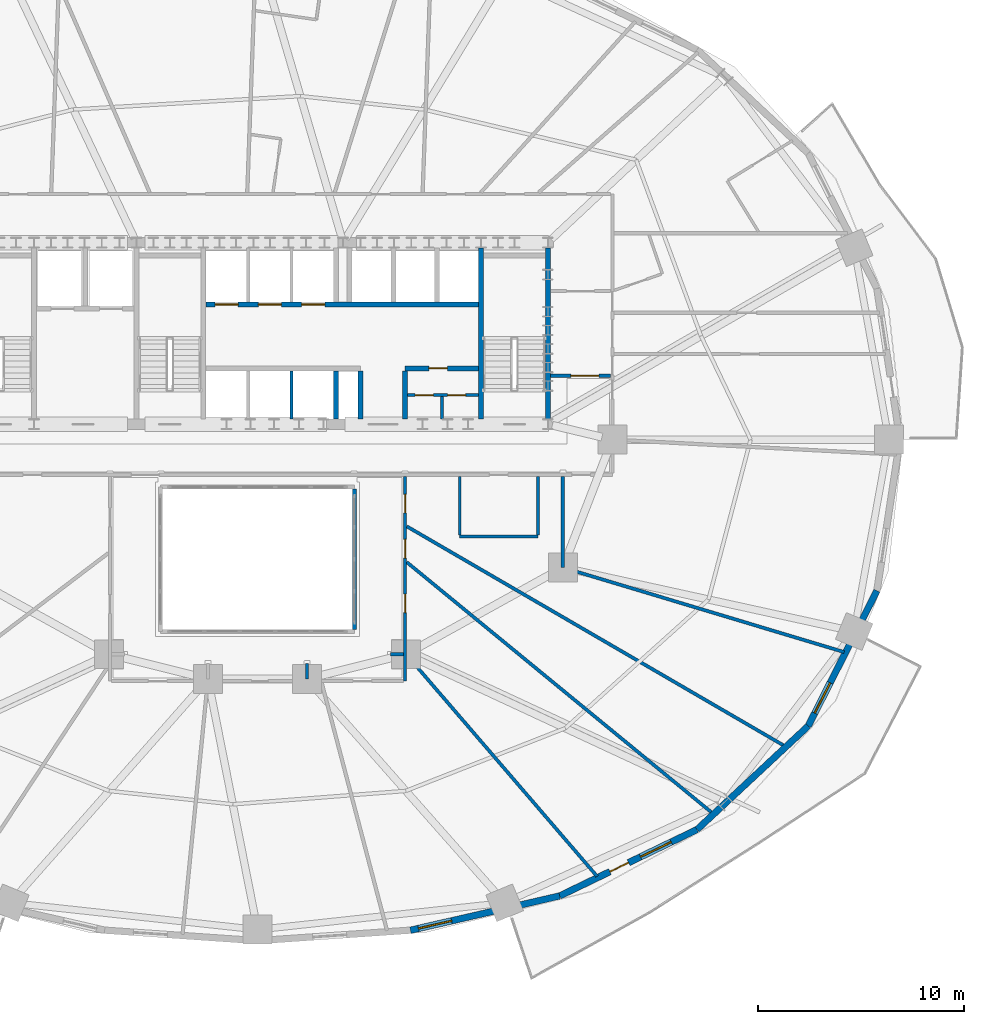
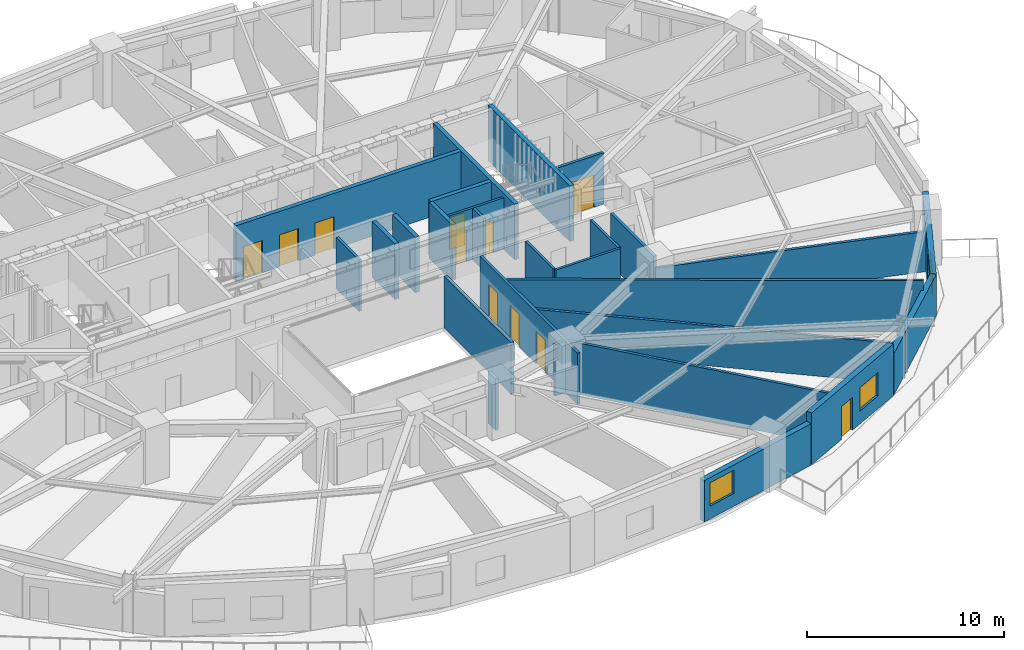
# One storey, part 11 of 18: 27 walls, 11 doors, 3 windows, 14 openings.
"""IFC4 building model written with IfcOpenShell, lengths in metres."""

from ifc_helpers import new_model, si_unit, direction, frame, frame_2d, origin, place, context, subcontext, project, spatial, rectangle, extrude, material, layer, layer_set, type_object, element, fill, save


model = new_model("IFC4")

# Units and contexts
model_context = context("Model", 3, precision=1e-05, world=origin(), true_north=direction((0.0, 1.0)))
body_context = subcontext(model_context, "Body", "Model", "MODEL_VIEW")
ifc_project = project(units=[si_unit("LENGTHUNIT", "METRE"), si_unit("AREAUNIT", "SQUARE_METRE"), si_unit("VOLUMEUNIT", "CUBIC_METRE"), si_unit("PLANEANGLEUNIT", "RADIAN"), si_unit("MASSUNIT", "GRAM", prefix="KILO")], contexts=[model_context])

# Site, building, storey
site_placement = place(None, origin())
site = spatial("IfcSite", under=ifc_project, at=site_placement, CompositionType="ELEMENT")
building_placement = place(site_placement, origin())
building = spatial("IfcBuilding", under=site, at=building_placement, Name="Haldorwick Loom Tower", CompositionType="ELEMENT")
storey_placement = place(building_placement, frame((0.0, 0.0, 41.25)))
storey = spatial("IfcBuildingStorey", under=building, at=storey_placement, Name="L10", CompositionType="ELEMENT", Elevation=41.25)

# Wall, opening, window
ifc_material_1 = material(Name="Pressed Clay Face Brick and Insulated Masonry Backup Assembly", Category="masonry")
ifc_layer_1 = layer(ifc_material_1, 0.320068359375, Name="Pressed Clay Face Brick and Insulated Masonry Backup Assembly", Category="masonry")
ifc_layer_set_1 = layer_set([ifc_layer_1], Name="Pressed Clay Face Brick and Insulated Masonry Backup Assembly")
wall_type_1 = type_object("IfcWallType", Name="ARC-WL-EXT320", PredefinedType="STANDARD", material=ifc_layer_set_1)
wall_1_placement = place(storey_placement, frame((43.411376953125, 2.219482421875, 0.0), z_axis=(0.0, 0.0, 1.0), x_axis=(0.974522412345, 0.224290142088, 0.0)))
wall_1 = element("IfcWall", 1, at=wall_1_placement, inside=storey, type_object=wall_type_1, Name="L10 Brick Pier and Spandrel Wall 20", PredefinedType="STANDARD", context=body_context, shape_type="SweptSolid", body=[
    extrude(rectangle(XDim=7.422607421875, YDim=0.320068359375, at=frame_2d((3.71142578125, 0.0))), origin(), (0.0, 0.0, 1.0), 2.569091796875),
])
opening_1_placement = place(wall_1_placement, frame((0.39990234375, 0.0, 0.800048828125)))
opening_1 = element("IfcOpeningElement", 2, at=opening_1_placement, cuts=wall_1, Name="Opening W-01B", PredefinedType="OPENING", context=body_context, shape_type="SweptSolid", body=[
    extrude(rectangle(XDim=1.64990234375, YDim=1.449951171875, at=frame_2d((0.824951171875, 0.72509765625))), frame((0.0, 0.169921875, 0.0), z_axis=(0.0, -1.0, 0.0), x_axis=(1.0, 0.0, 0.0)), (0.0, 0.0, 1.0), 0.340087890625),
])
ifc_material_2 = material(Name="Triple-Glazed Low-E Argon Insulated Glazing Unit", Category="glass")
window_type = type_object("IfcWindowType", Name="ARC-WIN-W165", PartitioningType="SINGLE_PANEL", PredefinedType="WINDOW", material=ifc_material_2)
window_1_placement = place(opening_1_placement, origin())
window_1 = element("IfcWindow", 3, at=window_1_placement, inside=storey, type_object=window_type, Name="L10 Deep-Set Zone 7A Window 20", OverallHeight=1.449951171875, OverallWidth=1.64990234375, PartitioningType="SINGLE_PANEL", PredefinedType="WINDOW", context=body_context, shape_type="SweptSolid", body=[
    extrude(rectangle(XDim=1.64990234375, YDim=1.449951171875, at=frame_2d((0.824951171875, 0.72509765625))), frame((0.0, 0.030029296875, 0.0), z_axis=(0.0, -1.0, 0.0), x_axis=(1.0, 0.0, 0.0)), (0.0, 0.0, 1.0), 0.06005859375),
])
fill(opening_1, window_1)

# Wall, openings, door, window
wall_2_placement = place(storey_placement, frame((50.644775390625, 3.88427734375, 0.0), z_axis=(0.0, 0.0, 1.0), x_axis=(0.900295710431, 0.435278800057, 0.0)))
wall_2 = element("IfcWall", 4, at=wall_2_placement, inside=storey, type_object=wall_type_1, Name="L10 Brick Pier and Spandrel Wall 21", PredefinedType="STANDARD", context=body_context, shape_type="SweptSolid", body=[
    extrude(rectangle(XDim=7.39697265625, YDim=0.320068359375, at=frame_2d((3.698486328125, 0.0))), origin(), (0.0, 0.0, 1.0), 3.2099609375),
])
opening_2_placement = place(wall_2_placement, frame((2.705322265625, 0.0, 0.0)))
opening_2 = element("IfcOpeningElement", 5, at=opening_2_placement, cuts=wall_2, Name="Opening D-BL10", PredefinedType="OPENING", context=body_context, shape_type="SweptSolid", body=[
    extrude(rectangle(XDim=1.0, YDim=2.0400390625, at=frame_2d((0.5, 1.02001953125))), frame((0.0, 0.169921875, 0.0), z_axis=(0.0, -1.0, 0.0), x_axis=(1.0, 0.0, 0.0)), (0.0, 0.0, 1.0), 0.340087890625),
])
opening_3_placement = place(wall_2_placement, frame((4.352783203125, 0.0, 0.800048828125)))
opening_3 = element("IfcOpeningElement", 6, at=opening_3_placement, cuts=wall_2, Name="Opening W-01B", PredefinedType="OPENING", context=body_context, shape_type="SweptSolid", body=[
    extrude(rectangle(XDim=1.64990234375, YDim=1.449951171875, at=frame_2d((0.824951171875, 0.72509765625))), frame((0.0, 0.169921875, 0.0), z_axis=(0.0, -1.0, 0.0), x_axis=(1.0, 0.0, 0.0)), (0.0, 0.0, 1.0), 0.340087890625),
])
ifc_material_3 = material(Name="Thermally Broken Anodized Aluminium Curtain Wall Framing", Category="aluminium")
door_type_1 = type_object("IfcDoorType", Name="ARC-DR-BAL100", OperationType="NOTDEFINED", PredefinedType="DOOR", material=ifc_material_3)
door_1_placement = place(opening_2_placement, origin())
door_1 = element("IfcDoor", 7, at=door_1_placement, inside=storey, type_object=door_type_1, Name="L10 Outdoor Terrace Door SLB-L10-BAL_SE", OperationType="SINGLE_SWING_RIGHT", OverallHeight=2.0400390625, OverallWidth=1.0, PredefinedType="DOOR", context=body_context, shape_type="SweptSolid", body=[
    extrude(rectangle(XDim=1.0, YDim=2.0400390625, at=frame_2d((0.5, 1.02001953125))), frame((0.0, 0.02490234375, 0.0), z_axis=(0.0, -1.0, 0.0), x_axis=(1.0, 0.0, 0.0)), (0.0, 0.0, 1.0), 0.050048828125),
])
fill(opening_2, door_1)
window_2_placement = place(opening_3_placement, origin())
window_2 = element("IfcWindow", 8, at=window_2_placement, inside=storey, type_object=window_type, Name="L10 Deep-Set Zone 7A Window 21", OverallHeight=1.449951171875, OverallWidth=1.64990234375, PartitioningType="SINGLE_PANEL", PredefinedType="WINDOW", context=body_context, shape_type="SweptSolid", body=[
    extrude(rectangle(XDim=1.64990234375, YDim=1.449951171875, at=frame_2d((0.824951171875, 0.72509765625))), frame((0.0, 0.030029296875, 0.0), z_axis=(0.0, -1.0, 0.0), x_axis=(1.0, 0.0, 0.0)), (0.0, 0.0, 1.0), 0.06005859375),
])
fill(opening_3, window_2)

# Wall
wall_3_placement = place(storey_placement, frame((57.30419921875, 7.10400390625, 0.0), z_axis=(0.0, 0.0, 1.0), x_axis=(0.73176101237, 0.681561311091, 0.0)))
element("IfcWall", 9, at=wall_3_placement, inside=storey, type_object=wall_type_1, Name="L10 Brick Pier and Spandrel Wall 22", PredefinedType="STANDARD", context=body_context, shape_type="SweptSolid", body=[
    extrude(rectangle(XDim=7.3583984375, YDim=0.320068359375, at=frame_2d((3.67919921875, 0.0))), origin(), (0.0, 0.0, 1.0), 2.569091796875),
])

# Wall, opening, window
wall_4_placement = place(storey_placement, frame((62.688720703125, 12.119140625, 0.0), z_axis=(0.0, 0.0, 1.0), x_axis=(0.452950855928, 0.891535485617, 0.0)))
wall_4 = element("IfcWall", 10, at=wall_4_placement, inside=storey, type_object=wall_type_1, Name="L10 Brick Pier and Spandrel Wall 23", PredefinedType="STANDARD", context=body_context, shape_type="SweptSolid", body=[
    extrude(rectangle(XDim=7.3583984375, YDim=0.320068359375, at=frame_2d((3.67919921875, 0.0))), origin(), (0.0, 0.0, 1.0), 2.569091796875),
])
opening_4_placement = place(wall_4_placement, frame((0.69921875, 0.0, 0.800048828125)))
opening_4 = element("IfcOpeningElement", 11, at=opening_4_placement, cuts=wall_4, Name="Opening W-01B", PredefinedType="OPENING", context=body_context, shape_type="SweptSolid", body=[
    extrude(rectangle(XDim=1.64990234375, YDim=1.449951171875, at=frame_2d((0.824951171875, 0.72509765625))), frame((0.0, 0.169921875, 0.0), z_axis=(0.0, -1.0, 0.0), x_axis=(1.0, 0.0, 0.0)), (0.0, 0.0, 1.0), 0.340087890625),
])
window_3_placement = place(opening_4_placement, origin())
window_3 = element("IfcWindow", 12, at=window_3_placement, inside=storey, type_object=window_type, Name="L10 Deep-Set Zone 7A Window 23", OverallHeight=1.449951171875, OverallWidth=1.64990234375, PartitioningType="SINGLE_PANEL", PredefinedType="WINDOW", context=body_context, shape_type="SweptSolid", body=[
    extrude(rectangle(XDim=1.64990234375, YDim=1.449951171875, at=frame_2d((0.824951171875, 0.72509765625))), frame((0.0, 0.030029296875, 0.0), z_axis=(0.0, -1.0, 0.0), x_axis=(1.0, 0.0, 0.0)), (0.0, 0.0, 1.0), 0.06005859375),
])
fill(opening_4, window_3)

# Wall, opening, door
ifc_material_4 = material(Name="Fire-Rated Type X Gypsum Stud Assembly EI 60")
ifc_layer_2 = layer(ifc_material_4, 0.159912109375, Name="Fire-Rated Type X Gypsum Stud Assembly EI 60")
ifc_layer_set_2 = layer_set([ifc_layer_2], Name="Fire-Rated Type X Gypsum Stud Assembly EI 60")
wall_type_2 = type_object("IfcWallType", Name="ARC-WL-FIRE160", PredefinedType="PARTITIONING", material=ifc_layer_set_2)
wall_5_placement = place(storey_placement, frame((50.193115234375, 29.10009765625, 0.0), z_axis=(0.0, 0.0, 1.0), x_axis=(1.0, 0.0, 0.0)))
wall_5 = element("IfcWall", 13, at=wall_5_placement, inside=storey, type_object=wall_type_2, Name="L10 Residential Fire Partition L10-CR-ESJ", PredefinedType="PARTITIONING", context=body_context, shape_type="SweptSolid", body=[
    extrude(rectangle(XDim=2.923828125, YDim=0.159912109375, at=frame_2d((1.4619140625, 0.0))), origin(), (0.0, 0.0, 1.0), 3.195068359375),
])
opening_5_placement = place(wall_5_placement, frame((0.99560546875, 0.0, 0.0)))
opening_5 = element("IfcOpeningElement", 14, at=opening_5_placement, cuts=wall_5, Name="Opening D-CR15", PredefinedType="OPENING", context=body_context, shape_type="SweptSolid", body=[
    extrude(rectangle(XDim=1.35009765625, YDim=2.0, at=frame_2d((0.675048828125, 1.0))), frame((0.0, 0.08984375, 0.0), z_axis=(0.0, -1.0, 0.0), x_axis=(1.0, 0.0, 0.0)), (0.0, 0.0, 1.0), 0.179931640625),
])
ifc_material_5 = material(Name="Thermally Broken Anodized Aluminium and Tempered Glass", Category="aluminium")
door_type_2 = type_object("IfcDoorType", Name="ARC-DR-COR150", OperationType="NOTDEFINED", PredefinedType="DOOR", material=ifc_material_5)
door_2_placement = place(opening_5_placement, origin())
door_2 = element("IfcDoor", 15, at=door_2_placement, inside=storey, type_object=door_type_2, Name="L10 L10 East Residential Corridor to L10 Central Residential Corridor Do", OperationType="DOUBLE_DOOR_SINGLE_SWING", OverallHeight=2.0, OverallWidth=1.35009765625, PredefinedType="DOOR", context=body_context, shape_type="SweptSolid", body=[
    extrude(rectangle(XDim=1.35009765625, YDim=2.0, at=frame_2d((0.675048828125, 1.0))), frame((0.0, 0.02490234375, 0.0), z_axis=(0.0, -1.0, 0.0), x_axis=(1.0, 0.0, 0.0)), (0.0, 0.0, 1.0), 0.050048828125),
])
fill(opening_5, door_2)

# Wall, openings, doors
wall_6_placement = place(storey_placement, frame((43.14990234375, 14.300048828125, 0.0), z_axis=(0.0, 0.0, 1.0), x_axis=(0.0, 1.0, 0.0)))
wall_6 = element("IfcWall", 16, at=wall_6_placement, inside=storey, type_object=wall_type_2, Name="L10 Residential Fire Partition L10-CR-AE", PredefinedType="PARTITIONING", context=body_context, shape_type="SweptSolid", body=[
    extrude(rectangle(XDim=9.9169921875, YDim=0.159912109375, at=frame_2d((4.95849609375, 0.0))), origin(), (0.0, 0.0, 1.0), 3.195068359375),
])
opening_6_placement = place(wall_6_placement, frame((3.3134765625, 0.0, 0.0)))
opening_6 = element("IfcOpeningElement", 17, at=opening_6_placement, cuts=wall_6, Name="Opening D-FD60A", PredefinedType="OPENING", context=body_context, shape_type="SweptSolid", body=[
    extrude(rectangle(XDim=0.89990234375, YDim=2.0, at=frame_2d((0.449951171875, 1.0))), frame((0.0, 0.08984375, 0.0), z_axis=(0.0, -1.0, 0.0), x_axis=(1.0, 0.0, 0.0)), (0.0, 0.0, 1.0), 0.179931640625),
])
opening_7_placement = place(wall_6_placement, frame((8.144775390625, 0.0, 0.0)))
opening_7 = element("IfcOpeningElement", 18, at=opening_7_placement, cuts=wall_6, Name="Opening D-FD60A", PredefinedType="OPENING", context=body_context, shape_type="SweptSolid", body=[
    extrude(rectangle(XDim=0.89990234375, YDim=2.0, at=frame_2d((0.449951171875, 1.0))), frame((0.0, 0.08984375, 0.0), z_axis=(0.0, -1.0, 0.0), x_axis=(1.0, 0.0, 0.0)), (0.0, 0.0, 1.0), 0.179931640625),
])
opening_8_placement = place(wall_6_placement, frame((5.962646484375, 0.0, 0.0)))
opening_8 = element("IfcOpeningElement", 19, at=opening_8_placement, cuts=wall_6, Name="Opening D-FD60A", PredefinedType="OPENING", context=body_context, shape_type="SweptSolid", body=[
    extrude(rectangle(XDim=0.89990234375, YDim=2.0, at=frame_2d((0.449951171875, 1.0))), frame((0.0, 0.08984375, 0.0), z_axis=(0.0, -1.0, 0.0), x_axis=(1.0, 0.0, 0.0)), (0.0, 0.0, 1.0), 0.179931640625),
])
ifc_material_6 = material(Name="Hollow Steel Fire Door Assembly", Category="steel")
door_type_3 = type_object("IfcDoorType", Name="ARC-DR-FD60-90", OperationType="NOTDEFINED", PredefinedType="DOOR", material=ifc_material_6)
door_3_placement = place(opening_6_placement, origin())
door_3 = element("IfcDoor", 20, at=door_3_placement, inside=storey, type_object=door_type_3, Name="L10 L10 South Atrium Corridor to Community Teaching Classroom 11 Door", OperationType="SINGLE_SWING_LEFT", OverallHeight=2.0, OverallWidth=0.89990234375, PredefinedType="DOOR", context=body_context, shape_type="SweptSolid", body=[
    extrude(rectangle(XDim=0.89990234375, YDim=2.0, at=frame_2d((0.449951171875, 1.0))), frame((0.0, 0.02490234375, 0.0), z_axis=(0.0, -1.0, 0.0), x_axis=(1.0, 0.0, 0.0)), (0.0, 0.0, 1.0), 0.050048828125),
])
fill(opening_6, door_3)
door_4_placement = place(opening_7_placement, origin())
door_4 = element("IfcDoor", 21, at=door_4_placement, inside=storey, type_object=door_type_3, Name="L10 L10 South Atrium Corridor to Tenant Meeting Room 1 Door", OperationType="SINGLE_SWING_LEFT", OverallHeight=2.0, OverallWidth=0.89990234375, PredefinedType="DOOR", context=body_context, shape_type="SweptSolid", body=[
    extrude(rectangle(XDim=0.89990234375, YDim=2.0, at=frame_2d((0.449951171875, 1.0))), frame((0.0, 0.02490234375, 0.0), z_axis=(0.0, -1.0, 0.0), x_axis=(1.0, 0.0, 0.0)), (0.0, 0.0, 1.0), 0.050048828125),
])
fill(opening_7, door_4)
door_5_placement = place(opening_8_placement, origin())
door_5 = element("IfcDoor", 22, at=door_5_placement, inside=storey, type_object=door_type_3, Name="L10 L10 South Atrium Corridor to Community Teaching Classroom 17 Door", OperationType="SINGLE_SWING_RIGHT", OverallHeight=2.0, OverallWidth=0.89990234375, PredefinedType="DOOR", context=body_context, shape_type="SweptSolid", body=[
    extrude(rectangle(XDim=0.89990234375, YDim=2.0, at=frame_2d((0.449951171875, 1.0))), frame((0.0, 0.02490234375, 0.0), z_axis=(0.0, -1.0, 0.0), x_axis=(1.0, 0.0, 0.0)), (0.0, 0.0, 1.0), 0.050048828125),
])
fill(opening_8, door_5)

# Walls
wall_7_placement = place(storey_placement, frame((50.800048828125, 19.800048828125, 0.0), z_axis=(0.0, 0.0, 1.0), x_axis=(0.957673245776, -0.287857524351, 0.0)))
element("IfcWall", 23, at=wall_7_placement, inside=storey, type_object=wall_type_2, Name="L10 Residential Fire Partition L10-ICR-03", PredefinedType="PARTITIONING", context=body_context, shape_type="SweptSolid", body=[
    extrude(rectangle(XDim=14.238525390625, YDim=0.159912109375, at=frame_2d((7.119140625, 0.0))), origin(), (0.0, 0.0, 1.0), 2.489990234375),
])
wall_8_placement = place(storey_placement, frame((43.23291015625, 15.5615234375, 0.0), z_axis=(0.0, 0.0, 1.0), x_axis=(0.652038078605, -0.758186219902, 0.0)))
element("IfcWall", 24, at=wall_8_placement, inside=storey, type_object=wall_type_2, Name="L10 Residential Fire Partition L10-ICR-05", PredefinedType="PARTITIONING", context=body_context, shape_type="SweptSolid", body=[
    extrude(rectangle(XDim=14.149658203125, YDim=0.159912109375, at=frame_2d((7.07470703125, 0.0))), origin(), (0.0, 0.0, 1.0), 3.195068359375),
])
wall_9_placement = place(storey_placement, frame((50.800048828125, 24.217041015625, 0.0), z_axis=(0.0, 0.0, 1.0), x_axis=(0.0, -1.0, 0.0)))
element("IfcWall", 25, at=wall_9_placement, inside=storey, type_object=wall_type_2, Name="L10 Residential Fire Partition L10-ICA-02", PredefinedType="PARTITIONING", context=body_context, shape_type="SweptSolid", body=[
    extrude(rectangle(XDim=4.4169921875, YDim=0.159912109375, at=frame_2d((2.20849609375, 0.0))), origin(), (0.0, 0.0, 1.0), 3.195068359375),
])
wall_10_placement = place(storey_placement, frame((42.449951171875, 15.60009765625, 0.0), z_axis=(0.0, 0.0, 1.0), x_axis=(1.0, 0.0, 0.0)))
element("IfcWall", 26, at=wall_10_placement, inside=storey, type_object=wall_type_2, Name="L10 Residential Fire Partition L10-ICA-04", PredefinedType="PARTITIONING", context=body_context, shape_type="SweptSolid", body=[
    extrude(rectangle(XDim=0.616943359375, YDim=0.159912109375, at=frame_2d((0.30859375, 0.0))), origin(), (0.0, 0.0, 1.0), 3.195068359375),
])
wall_11_placement = place(storey_placement, frame((38.39990234375, 15.14990234375, 0.0), z_axis=(0.0, 0.0, 1.0), x_axis=(0.0, -1.0, 0.0)))
element("IfcWall", 27, at=wall_11_placement, inside=storey, type_object=wall_type_2, Name="L10 Residential Fire Partition L10-ICA-06", PredefinedType="PARTITIONING", context=body_context, shape_type="SweptSolid", body=[
    extrude(rectangle(XDim=0.75, YDim=0.159912109375, at=frame_2d((0.375, 0.0))), origin(), (0.0, 0.0, 1.0), 3.195068359375),
])
wall_12_placement = place(storey_placement, frame((43.23291015625, 21.796142578125, 0.0), z_axis=(0.0, 0.0, 1.0), x_axis=(0.864574362114, -0.502504897862, 0.0)))
element("IfcWall", 28, at=wall_12_placement, inside=storey, type_object=wall_type_2, Name="L10 Suite Split Wall", PredefinedType="PARTITIONING", context=body_context, shape_type="SweptSolid", body=[
    extrude(rectangle(XDim=21.188232421875, YDim=0.159912109375, at=frame_2d((10.59423828125, 0.0))), origin(), (0.0, 0.0, 1.0), 3.195068359375),
])
wall_13_placement = place(storey_placement, frame((43.23291015625, 20.0615234375, 0.0), z_axis=(0.0, 0.0, 1.0), x_axis=(0.772891023515, -0.634538781927, 0.0)))
element("IfcWall", 29, at=wall_13_placement, inside=storey, type_object=wall_type_2, Name="L10 Suite Split Wall", PredefinedType="PARTITIONING", context=body_context, shape_type="SweptSolid", body=[
    extrude(rectangle(XDim=19.177978515625, YDim=0.159912109375, at=frame_2d((9.5888671875, 0.0))), origin(), (0.0, 0.0, 1.0), 2.489990234375),
])
ifc_material_7 = material(Name="Fire-Rated Type X Gypsum Stud Assembly EI 120")
ifc_layer_3 = layer(ifc_material_7, 0.199951171875, Name="Fire-Rated Type X Gypsum Stud Assembly EI 120")
ifc_layer_set_3 = layer_set([ifc_layer_3], Name="Fire-Rated Type X Gypsum Stud Assembly EI 120")
wall_type_3 = type_object("IfcWallType", Name="ARC-WL-FIRE200", PredefinedType="PARTITIONING", material=ifc_layer_set_3)
wall_14_placement = place(storey_placement, frame((40.699951171875, 23.596923828125, 0.0), z_axis=(0.0, 0.0, 1.0), x_axis=(0.0, -1.0, 0.0)))
element("IfcWall", 30, at=wall_14_placement, inside=storey, type_object=wall_type_3, Name="L10 Atrium Fire Enclosure Wall E", PredefinedType="PARTITIONING", context=body_context, shape_type="SweptSolid", body=[
    extrude(rectangle(XDim=6.7939453125, YDim=0.199951171875, at=frame_2d((3.39697265625, 0.0))), origin(), (0.0, 0.0, 1.0), 3.195068359375),
])

# Wall, openings, doors
ifc_layer_4 = layer(ifc_material_4, 0.139892578125, Name="Fire-Rated Type X Gypsum Stud Assembly EI 60")
ifc_layer_set_4 = layer_set([ifc_layer_4], Name="Fire-Rated Type X Gypsum Stud Assembly EI 60")
wall_type_4 = type_object("IfcWallType", Name="ARC-WL-PART140", PredefinedType="PARTITIONING", material=ifc_layer_set_4)
wall_15_placement = place(storey_placement, frame((43.27294921875, 28.159912109375, 0.0), z_axis=(0.0, 0.0, 1.0), x_axis=(1.0, 0.0, 0.0)))
wall_15 = element("IfcWall", 31, at=wall_15_placement, inside=storey, type_object=wall_type_4, Name="L10 Telecom Partition", PredefinedType="PARTITIONING", context=body_context, shape_type="SweptSolid", body=[
    extrude(rectangle(XDim=3.43408203125, YDim=0.139892578125, at=frame_2d((1.717041015625, 0.0))), origin(), (0.0, 0.0, 1.0), 3.195068359375),
])
opening_9_placement = place(wall_15_placement, frame((0.366943359375, 0.0, 0.0)))
opening_9 = element("IfcOpeningElement", 32, at=opening_9_placement, cuts=wall_15, Name="Opening D-BT88", PredefinedType="OPENING", context=body_context, shape_type="SweptSolid", body=[
    extrude(rectangle(XDim=0.8798828125, YDim=2.02001953125, at=frame_2d((0.43994140625, 1.010009765625))), frame((0.0, 0.079833984375, 0.0), z_axis=(0.0, -1.0, 0.0), x_axis=(1.0, 0.0, 0.0)), (0.0, 0.0, 1.0), 0.159912109375),
])
opening_10_placement = place(wall_15_placement, frame((1.93701171875, 0.0, 0.0)))
opening_10 = element("IfcOpeningElement", 33, at=opening_10_placement, cuts=wall_15, Name="Opening D-BT88", PredefinedType="OPENING", context=body_context, shape_type="SweptSolid", body=[
    extrude(rectangle(XDim=0.8798828125, YDim=2.02001953125, at=frame_2d((0.43994140625, 1.010009765625))), frame((0.0, 0.079833984375, 0.0), z_axis=(0.0, -1.0, 0.0), x_axis=(1.0, 0.0, 0.0)), (0.0, 0.0, 1.0), 0.159912109375),
])
ifc_material_8 = material(Name="Solid Core Birch Architectural Door")
door_type_4 = type_object("IfcDoorType", Name="ARC-DR-BATH88", OperationType="NOTDEFINED", PredefinedType="DOOR", material=ifc_material_8)
door_6_placement = place(opening_9_placement, origin())
door_6 = element("IfcDoor", 34, at=door_6_placement, inside=storey, type_object=door_type_4, Name="L10 Telecom Room Door", OperationType="SINGLE_SWING_LEFT", OverallHeight=2.02001953125, OverallWidth=0.8798828125, PredefinedType="DOOR", context=body_context, shape_type="SweptSolid", body=[
    extrude(rectangle(XDim=0.8798828125, YDim=2.02001953125, at=frame_2d((0.43994140625, 1.010009765625))), frame((0.0, 0.02490234375, 0.0), z_axis=(0.0, -1.0, 0.0), x_axis=(1.0, 0.0, 0.0)), (0.0, 0.0, 1.0), 0.050048828125),
])
fill(opening_9, door_6)
door_7_placement = place(opening_10_placement, origin())
door_7 = element("IfcDoor", 35, at=door_7_placement, inside=storey, type_object=door_type_4, Name="L10 Metering Closet Door", OperationType="SINGLE_SWING_RIGHT", OverallHeight=2.02001953125, OverallWidth=0.8798828125, PredefinedType="DOOR", context=body_context, shape_type="SweptSolid", body=[
    extrude(rectangle(XDim=0.8798828125, YDim=2.02001953125, at=frame_2d((0.43994140625, 1.010009765625))), frame((0.0, 0.02490234375, 0.0), z_axis=(0.0, -1.0, 0.0), x_axis=(1.0, 0.0, 0.0)), (0.0, 0.0, 1.0), 0.050048828125),
])
fill(opening_10, door_7)

# Walls
wall_16_placement = place(storey_placement, frame((44.949951171875, 27.0029296875, 0.0), z_axis=(0.0, 0.0, 1.0), x_axis=(0.0, 1.0, 0.0)))
element("IfcWall", 36, at=wall_16_placement, inside=storey, type_object=wall_type_4, Name="L10 Metering Sub-Partition", PredefinedType="PARTITIONING", context=body_context, shape_type="SweptSolid", body=[
    extrude(rectangle(XDim=1.083984375, YDim=0.139892578125, at=frame_2d((0.5419921875, 0.0))), origin(), (0.0, 0.0, 1.0), 3.195068359375),
])
wall_17_placement = place(storey_placement, frame((45.800048828125, 21.300048828125, 0.0), z_axis=(0.0, 0.0, 1.0), x_axis=(1.0, 0.0, 0.0)))
element("IfcWall", 37, at=wall_17_placement, inside=storey, type_object=wall_type_4, Name="L10 Residential Fire Partition L10-CWC-S", PredefinedType="PARTITIONING", context=body_context, shape_type="SweptSolid", body=[
    extrude(rectangle(XDim=3.800048828125, YDim=0.139892578125, at=frame_2d((1.89990234375, 0.0))), origin(), (0.0, 0.0, 1.0), 3.195068359375),
])
for number, where, z_axis, x_axis, name in (
    (38, (45.800048828125, 21.373046875, 0.0), (0.0, 0.0, 1.0), (0.0, 1.0, 0.0), "L10 Residential Fire Partition L10-CWC-W"),
    (39, (49.60009765625, 21.373046875, 0.0), (0.0, 0.0, 1.0), (0.0, 1.0, 0.0), "L10 Residential Fire Partition L10-CWC-E"),
):
    element("IfcWall", number, at=place(storey_placement, frame(where, z_axis=z_axis, x_axis=x_axis)), inside=storey, type_object=wall_type_4, Name=name, PredefinedType="PARTITIONING", context=body_context, shape_type="SweptSolid", body=[
        extrude(rectangle(XDim=2.843994140625, YDim=0.139892578125, at=frame_2d((1.421875, 0.0))), origin(), (0.0, 0.0, 1.0), 3.195068359375),
    ])
ifc_layer_5 = layer(ifc_material_7, 0.1650390625, Name="Fire-Rated Type X Gypsum Stud Assembly EI 120")
ifc_layer_set_5 = layer_set([ifc_layer_5], Name="Fire-Rated Type X Gypsum Stud Assembly EI 120")
wall_type_5 = type_object("IfcWallType", Name="ARC-WL-SHAFT160", PredefinedType="MOVABLE", material=ifc_layer_set_5)
wall_18_placement = place(storey_placement, frame((37.64990234375, 27.0029296875, 0.0), z_axis=(0.0, 0.0, 1.0), x_axis=(0.0, 1.0, 0.0)))
element("IfcWall", 40, at=wall_18_placement, inside=storey, type_object=wall_type_5, Name="L10 Mid-Rise Hoistway Divider 2", PredefinedType="MOVABLE", context=body_context, shape_type="SweptSolid", body=[
    extrude(rectangle(XDim=2.323974609375, YDim=0.159912109375, at=frame_2d((1.162109375, 0.0))), origin(), (0.0, 0.0, 1.0), 3.195068359375),
])
ifc_material_9 = material(Name="Concrete C50 (50 MPa)", Category="concrete")
ifc_layer_6 = layer(ifc_material_9, 0.239990234375, Name="Concrete C50 (50 MPa)", Category="concrete")
ifc_layer_set_6 = layer_set([ifc_layer_6], Name="Concrete C50 (50 MPa)")
wall_type_6 = type_object("IfcWallType", Name="STR-WL-SHAFT240", PredefinedType="SHEAR", material=ifc_layer_set_6)
for number, where, z_axis, x_axis, name in (
    (41, (50.070068359375, 27.0029296875, 0.0), (0.0, 0.0, 1.0), (0.0, 1.0, 0.0), "L10 Core Shear Wall E"),
    (42, (46.830078125, 27.0029296875, 0.0), (0.0, 0.0, 1.0), (0.0, 1.0, 0.0), "L10 Core Shear Wall 4"),
):
    element("IfcWall", number, at=place(storey_placement, frame(where, z_axis=z_axis, x_axis=x_axis)), inside=storey, type_object=wall_type_6, Name=name, PredefinedType="SHEAR", context=body_context, shape_type="SweptSolid", body=[
        extrude(rectangle(XDim=8.294189453125, YDim=0.239990234375, at=frame_2d((4.14697265625, 0.0))), origin(), (0.0, 0.0, 1.0), 3.449951171875),
    ])

# Wall, openings, doors
wall_19_placement = place(storey_placement, frame((33.492919921875, 32.550048828125, 0.0), z_axis=(0.0, 0.0, 1.0), x_axis=(1.0, 0.0, 0.0)))
wall_19 = element("IfcWall", 43, at=wall_19_placement, inside=storey, type_object=wall_type_6, Name="L10 Core Shear Wall LN", PredefinedType="SHEAR", context=body_context, shape_type="SweptSolid", body=[
    extrude(rectangle(XDim=13.214111328125, YDim=0.239990234375, at=frame_2d((6.60693359375, 0.0))), origin(), (0.0, 0.0, 1.0), 3.449951171875),
])
opening_11_placement = place(wall_19_placement, frame((0.447021484375, 0.0, 0.0)))
opening_11 = element("IfcOpeningElement", 44, at=opening_11_placement, cuts=wall_19, Name="Opening LD-L1", PredefinedType="OPENING", context=body_context, shape_type="SweptSolid", body=[
    extrude(rectangle(XDim=1.1201171875, YDim=2.0, at=frame_2d((0.56005859375, 1.0))), frame((0.0, 0.1298828125, 0.0), z_axis=(0.0, -1.0, 0.0), x_axis=(1.0, 0.0, 0.0)), (0.0, 0.0, 1.0), 0.260009765625),
])
opening_12_placement = place(wall_19_placement, frame((2.547119140625, 0.0, 0.0)))
opening_12 = element("IfcOpeningElement", 45, at=opening_12_placement, cuts=wall_19, Name="Opening LD-L2", PredefinedType="OPENING", context=body_context, shape_type="SweptSolid", body=[
    extrude(rectangle(XDim=1.1201171875, YDim=2.0, at=frame_2d((0.56005859375, 1.0))), frame((0.0, 0.1298828125, 0.0), z_axis=(0.0, -1.0, 0.0), x_axis=(1.0, 0.0, 0.0)), (0.0, 0.0, 1.0), 0.260009765625),
])
opening_13_placement = place(wall_19_placement, frame((4.64697265625, 0.0, 0.0)))
opening_13 = element("IfcOpeningElement", 46, at=opening_13_placement, cuts=wall_19, Name="Opening LD-L3", PredefinedType="OPENING", context=body_context, shape_type="SweptSolid", body=[
    extrude(rectangle(XDim=1.1201171875, YDim=2.0, at=frame_2d((0.56005859375, 1.0))), frame((0.0, 0.1298828125, 0.0), z_axis=(0.0, -1.0, 0.0), x_axis=(1.0, 0.0, 0.0)), (0.0, 0.0, 1.0), 0.260009765625),
])
door_type_5 = type_object("IfcDoorType", Name="ARC-DR-LD-PAX", OperationType="NOTDEFINED", PredefinedType="USERDEFINED", material=ifc_material_6)
door_8_placement = place(opening_11_placement, origin())
door_8 = element("IfcDoor", 47, at=door_8_placement, inside=storey, type_object=door_type_5, Name="L10 Lift LF-L1 Sliding Landing Door", ObjectType="LANDING DOOR", OperationType="DOUBLE_DOOR_SLIDING", OverallHeight=2.0, OverallWidth=1.1201171875, PredefinedType="USERDEFINED", context=body_context, shape_type="SweptSolid", body=[
    extrude(rectangle(XDim=1.1201171875, YDim=2.0, at=frame_2d((0.56005859375, 1.0))), frame((0.0, 0.02490234375, 0.0), z_axis=(0.0, -1.0, 0.0), x_axis=(1.0, 0.0, 0.0)), (0.0, 0.0, 1.0), 0.050048828125),
])
fill(opening_11, door_8)
door_9_placement = place(opening_12_placement, origin())
door_9 = element("IfcDoor", 48, at=door_9_placement, inside=storey, type_object=door_type_5, Name="L10 Lift LF-L2 Sliding Landing Door", ObjectType="LANDING DOOR", OperationType="DOUBLE_DOOR_SLIDING", OverallHeight=2.0, OverallWidth=1.1201171875, PredefinedType="USERDEFINED", context=body_context, shape_type="SweptSolid", body=[
    extrude(rectangle(XDim=1.1201171875, YDim=2.0, at=frame_2d((0.56005859375, 1.0))), frame((0.0, 0.02490234375, 0.0), z_axis=(0.0, -1.0, 0.0), x_axis=(1.0, 0.0, 0.0)), (0.0, 0.0, 1.0), 0.050048828125),
])
fill(opening_12, door_9)
door_10_placement = place(opening_13_placement, origin())
door_10 = element("IfcDoor", 49, at=door_10_placement, inside=storey, type_object=door_type_5, Name="L10 Lift LF-L3 Sliding Landing Door", ObjectType="LANDING DOOR", OperationType="DOUBLE_DOOR_SLIDING", OverallHeight=2.0, OverallWidth=1.1201171875, PredefinedType="USERDEFINED", context=body_context, shape_type="SweptSolid", body=[
    extrude(rectangle(XDim=1.1201171875, YDim=2.0, at=frame_2d((0.56005859375, 1.0))), frame((0.0, 0.02490234375, 0.0), z_axis=(0.0, -1.0, 0.0), x_axis=(1.0, 0.0, 0.0)), (0.0, 0.0, 1.0), 0.050048828125),
])
fill(opening_13, door_10)

# Wall, opening, door
wall_20_placement = place(storey_placement, frame((43.14990234375, 29.449951171875, 0.0), z_axis=(0.0, 0.0, 1.0), x_axis=(1.0, 0.0, 0.0)))
wall_20 = element("IfcWall", 50, at=wall_20_placement, inside=storey, type_object=wall_type_6, Name="L10 Core Shear Wall LS2", PredefinedType="SHEAR", context=body_context, shape_type="SweptSolid", body=[
    extrude(rectangle(XDim=3.55712890625, YDim=0.239990234375, at=frame_2d((1.778564453125, 0.0))), origin(), (0.0, 0.0, 1.0), 3.449951171875),
])
opening_14_placement = place(wall_20_placement, frame((1.14990234375, 0.0, 0.0)))
opening_14 = element("IfcOpeningElement", 51, at=opening_14_placement, cuts=wall_20, Name="Opening D-FD60A", PredefinedType="OPENING", context=body_context, shape_type="SweptSolid", body=[
    extrude(rectangle(XDim=0.89990234375, YDim=2.0, at=frame_2d((0.449951171875, 1.0))), frame((0.0, 0.1298828125, 0.0), z_axis=(0.0, -1.0, 0.0), x_axis=(1.0, 0.0, 0.0)), (0.0, 0.0, 1.0), 0.260009765625),
])
door_11_placement = place(opening_14_placement, origin())
door_11 = element("IfcDoor", 52, at=door_11_placement, inside=storey, type_object=door_type_3, Name="L10 Janitor Closet Door", OperationType="SINGLE_SWING_LEFT", OverallHeight=2.0, OverallWidth=0.89990234375, PredefinedType="DOOR", context=body_context, shape_type="SweptSolid", body=[
    extrude(rectangle(XDim=0.89990234375, YDim=2.0, at=frame_2d((0.449951171875, 1.0))), frame((0.0, 0.02490234375, 0.0), z_axis=(0.0, -1.0, 0.0), x_axis=(1.0, 0.0, 0.0)), (0.0, 0.0, 1.0), 0.050048828125),
])
fill(opening_14, door_11)

# Walls
for number, where, z_axis, x_axis, name in (
    (53, (41.0, 27.0029296875, 0.0), (0.0, 0.0, 1.0), (0.0, 1.0, 0.0), "L10 Core Shear Wall THW"),
    (54, (43.14990234375, 27.0029296875, 0.0), (0.0, 0.0, 1.0), (0.0, 1.0, 0.0), "L10 Core Shear Wall THE"),
    (55, (39.800048828125, 27.0029296875, 0.0), (0.0, 0.0, 1.0), (0.0, 1.0, 0.0), "L10 Core Shear Wall MRW"),
):
    element("IfcWall", number, at=place(storey_placement, frame(where, z_axis=z_axis, x_axis=x_axis)), inside=storey, type_object=wall_type_6, Name=name, PredefinedType="SHEAR", context=body_context, shape_type="SweptSolid", body=[
        extrude(rectangle(XDim=2.323974609375, YDim=0.239990234375, at=frame_2d((1.162109375, 0.0))), origin(), (0.0, 0.0, 1.0), 3.449951171875),
    ])

save(model, "model.ifc")
